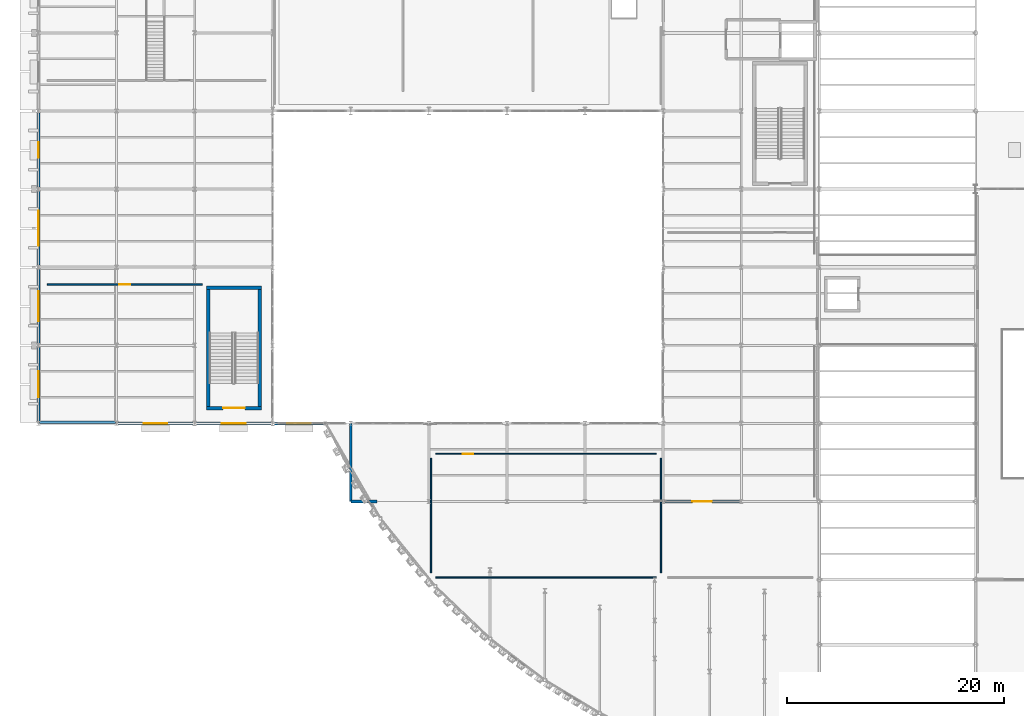
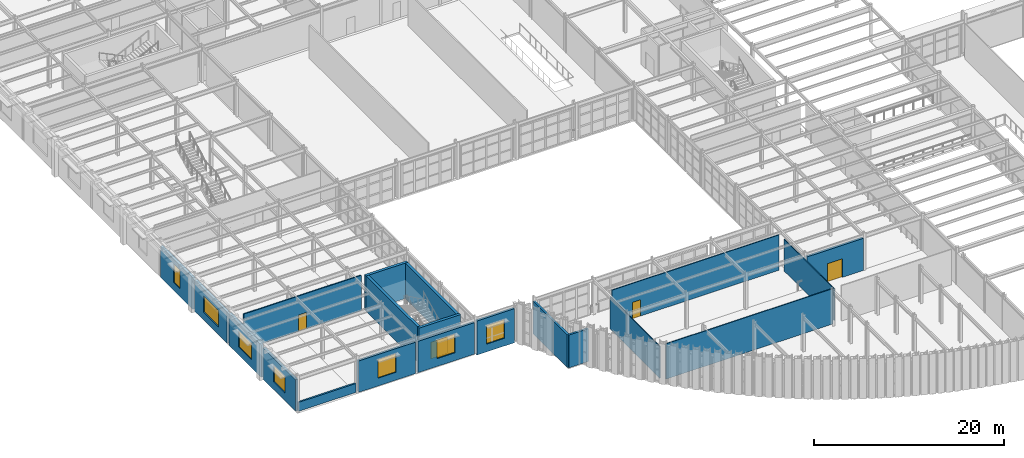
# One storey, part 103 of 126: 20 walls, 7 windows, 4 doors, 11 openings.
"""IFC4 building model written with IfcOpenShell, lengths in metres."""

import ifcopenshell
import ifcopenshell.guid

model = None  # the IFC model being written
_history = None  # IfcOwnerHistory: only IFC2X3 demands one
_inside = {}  # id of a spatial element -> (the spatial element, [elements in it])
_under = {}  # id of a project, library or spatial element -> (it, [spatial elements below it])
_declared = {}  # id of a project -> (the project, [libraries it declares])
_typed = {}  # id of a type object -> (the type object, [elements of that type])
_made_of = {}  # id of a material, layer set ... -> (it, [elements and type objects made of it])


def new_model(schema):
    """Start an empty IFC model of exactly this schema.

    Asked for "IFC4X3", IfcOpenShell would pick the latest addendum, in which some entities
    have other attributes; the version numbers below select the first issue.
    IFC2X3 requires an IfcOwnerHistory on every rooted entity: one is made here for all.
    """
    global model, _history
    if schema == "IFC4X3":
        model = ifcopenshell.file(schema_version=(4, 3, 0, 0))
    else:
        model = ifcopenshell.file(schema=schema)
    _inside.clear()
    _under.clear()
    _declared.clear()
    _typed.clear()
    _made_of.clear()
    _history = None
    if model.schema == "IFC2X3":
        org = make("IfcOrganization", Name="unknown")
        user = make(
            "IfcPersonAndOrganization",
            ThePerson=make("IfcPerson", FamilyName="unknown"),
            TheOrganization=org,
        )
        app = make(
            "IfcApplication",
            ApplicationDeveloper=org,
            Version="unknown",
            ApplicationFullName="unknown",
            ApplicationIdentifier="unknown",
        )
        _history = make(
            "IfcOwnerHistory",
            OwningUser=user,
            OwningApplication=app,
            ChangeAction="ADDED",
            CreationDate=0,
        )
    return model


def make(cls, **values):
    """One entity of the class cls with the attributes given. An attribute that is None is left unset."""
    return model.create_entity(
        cls, **{name: value for name, value in values.items() if value is not None}
    )


def rooted(cls, **values):
    """An entity with a GlobalId (a new one), such as an element, a storey or a relation."""
    return make(cls, GlobalId=ifcopenshell.guid.new(), OwnerHistory=_history, **values)


def si_unit(unit_type, name, prefix=None):
    """IfcSIUnit, for example si_unit("LENGTHUNIT", "METRE", prefix="MILLI")."""
    return make("IfcSIUnit", UnitType=unit_type, Prefix=prefix, Name=name)


def assignment(units):
    """IfcUnitAssignment: the units of a project."""
    return None if units is None else make("IfcUnitAssignment", Units=units)


def point(xyz):
    """IfcCartesianPoint."""
    return None if xyz is None else make("IfcCartesianPoint", Coordinates=xyz)


def direction(xyz):
    """IfcDirection."""
    return None if xyz is None else make("IfcDirection", DirectionRatios=xyz)


def frame(location, z_axis=None, x_axis=None):
    """IfcAxis2Placement3D, a coordinate frame: its origin and axes. An axis left out is left unset."""
    return make(
        "IfcAxis2Placement3D",
        Location=point(location),
        Axis=direction(z_axis),
        RefDirection=direction(x_axis),
    )


def frame_2d(location, x_axis=None):
    """IfcAxis2Placement2D, a coordinate frame in the plane: its origin and x axis."""
    return make(
        "IfcAxis2Placement2D", Location=point(location), RefDirection=direction(x_axis)
    )


def origin():
    """The frame at (0, 0, 0) with its axes left unset."""
    return frame((0.0, 0.0, 0.0))


def place(relative_to, where):
    """IfcLocalPlacement: puts the frame where relative to a parent placement (None: the world)."""
    return make(
        "IfcLocalPlacement", PlacementRelTo=relative_to, RelativePlacement=where
    )


def context(
    kind, dimensions, precision=None, world=None, true_north=None, identifier=None
):
    """IfcGeometricRepresentationContext, for example the 3D "Model" context."""
    return make(
        "IfcGeometricRepresentationContext",
        ContextIdentifier=identifier,
        ContextType=kind,
        CoordinateSpaceDimension=dimensions,
        Precision=precision,
        WorldCoordinateSystem=world,
        TrueNorth=true_north,
    )


def subcontext(parent, identifier, kind, view, scale=None):
    """IfcGeometricRepresentationSubContext, for example "Body" below "Model"."""
    return make(
        "IfcGeometricRepresentationSubContext",
        ContextIdentifier=identifier,
        ContextType=kind,
        ParentContext=parent,
        TargetScale=scale,
        TargetView=view,
    )


def project(units=None, contexts=None):
    """IfcProject with its units and contexts."""
    return rooted(
        "IfcProject",
        Name="project",
        RepresentationContexts=contexts,
        UnitsInContext=assignment(units),
    )


def spatial(cls, under=None, at=None, **own):
    """A site, building, storey or space (cls), placed at a placement, below another one or the project."""
    s = rooted(cls, ObjectPlacement=at, **own)
    if under is not None:
        _under.setdefault(under.id(), (under, []))[1].append(s)
    return s


def profile(cls, at=None, kind="AREA", **sizes):
    """A parametric profile (cls). Its sizes go by their IFC names, for example OverallWidth=200.0."""
    return make(cls, ProfileType=kind, Position=at, **sizes)


def rectangle(**sizes):
    """IfcRectangleProfileDef."""
    return profile("IfcRectangleProfileDef", **sizes)


def extrude(swept, where, along, depth):
    """IfcExtrudedAreaSolid: the profile swept, set in the frame where, extruded along a direction by depth."""
    return make(
        "IfcExtrudedAreaSolid",
        SweptArea=swept,
        Position=where,
        ExtrudedDirection=direction(along),
        Depth=depth,
    )


def shape(context_of_items, identifier, shape_type, items):
    """IfcShapeRepresentation: the items that make up one representation, for example the "Body"."""
    return make(
        "IfcShapeRepresentation",
        ContextOfItems=context_of_items,
        RepresentationIdentifier=identifier,
        RepresentationType=shape_type,
        Items=items,
    )


def material(Name=None, Category=None):
    """IfcMaterial."""
    return make("IfcMaterial", Name=Name, Category=Category)


def layer(
    of_material, thickness, ventilated=None, Name=None, Category=None, Priority=None
):
    """IfcMaterialLayer: one layer of a wall or slab, of a material (None: an air gap)."""
    return make(
        "IfcMaterialLayer",
        Material=of_material,
        LayerThickness=thickness,
        IsVentilated=ventilated,
        Name=Name,
        Category=Category,
        Priority=Priority,
    )


def layer_set(layers, Name=None):
    """IfcMaterialLayerSet."""
    return make("IfcMaterialLayerSet", MaterialLayers=layers, LayerSetName=Name)


def made_of(thing, what):
    """Note that an element or type object is made of a material, layer set ...; save() writes the relation."""
    if what is not None:
        _made_of.setdefault(what.id(), (what, []))[1].append(thing)
    return thing


def type_object(cls, material=None, **own):
    """A type object (cls), such as IfcWallType, which elements share."""
    return made_of(rooted(cls, **own), material)


def element(
    cls,
    number,
    at=None,
    inside=None,
    cuts=None,
    type_object=None,
    material=None,
    context=None,
    identifier="Body",
    shape_type=None,
    held_by="IfcProductDefinitionShape",
    body=None,
    shapes=None,
    **own,
):
    """One element of the class cls, such as IfcWall. Its Tag is "e" and its number.

    at: its placement. inside: the storey or other place that contains it. cuts: it is an
    opening in that element (IfcRelVoidsElement). A single representation is given by context,
    identifier, shape_type and body (its items); several are given by shapes. held_by: the class
    of the entity that holds the representations. save() writes the other relations.
    """
    e = rooted(cls, Tag="e%d" % number, ObjectPlacement=at, **own)
    if body is not None:
        shapes = [shape(context, identifier, shape_type, body)]
    if shapes is not None:
        e.Representation = make(held_by, Representations=shapes)
    if inside is not None:
        _inside.setdefault(inside.id(), (inside, []))[1].append(e)
    if cuts is not None:
        rooted(
            "IfcRelVoidsElement", RelatingBuildingElement=cuts, RelatedOpeningElement=e
        )
    if type_object is not None:
        _typed.setdefault(type_object.id(), (type_object, []))[1].append(e)
    return made_of(e, material)


def fill(opening, filler):
    """IfcRelFillsElement: the door or window that sits in an opening."""
    return rooted(
        "IfcRelFillsElement",
        RelatingOpeningElement=opening,
        RelatedBuildingElement=filler,
    )


def aggregate(whole, parts):
    """IfcRelAggregates: a whole, such as a stair, and the parts it consists of."""
    return rooted("IfcRelAggregates", RelatingObject=whole, RelatedObjects=parts)


def save(model, path):
    """Write the relations noted so far, then the file.

    IfcRelAggregates (storeys below a building ...), IfcRelContainedInSpatialStructure (elements
    in a storey), IfcRelDefinesByType, IfcRelAssociatesMaterial and IfcRelDeclares: one each for
    every whole, place, type object, material and project.
    """
    for whole, parts in _under.values():
        aggregate(whole, parts)
    for where, things in _inside.values():
        rooted(
            "IfcRelContainedInSpatialStructure",
            RelatedElements=things,
            RelatingStructure=where,
        )
    for kind, things in _typed.values():
        rooted("IfcRelDefinesByType", RelatedObjects=things, RelatingType=kind)
    for what, things in _made_of.values():
        rooted("IfcRelAssociatesMaterial", RelatedObjects=things, RelatingMaterial=what)
    for by, libraries in _declared.values():
        rooted("IfcRelDeclares", RelatingContext=by, RelatedDefinitions=libraries)
    model.write(path)


model = new_model("IFC4")

# Units and contexts
model_context = context("Model", 3, precision=1e-05, world=origin(), true_north=direction((0.0, 1.0)))
body_context = subcontext(model_context, "Body", "Model", "MODEL_VIEW")
ifc_project = project(units=[si_unit("LENGTHUNIT", "METRE"), si_unit("AREAUNIT", "SQUARE_METRE"), si_unit("VOLUMEUNIT", "CUBIC_METRE"), si_unit("PLANEANGLEUNIT", "RADIAN"), si_unit("MASSUNIT", "GRAM", prefix="KILO")], contexts=[model_context])

# Site, building, storey
site_placement = place(None, origin())
site = spatial("IfcSite", under=ifc_project, at=site_placement, CompositionType="ELEMENT")
building_placement = place(site_placement, origin())
building = spatial("IfcBuilding", under=site, at=building_placement, Name="Solvadek Multi-Sports Hall", CompositionType="ELEMENT")
storey_placement = place(building_placement, frame((0.0, 0.0, 9.60009765625)))
storey = spatial("IfcBuildingStorey", under=building, at=storey_placement, Name="L02", CompositionType="ELEMENT", Elevation=9.60009765625)

# Walls
ifc_material_1 = material(Name="Dressed honey-cream limestone ashlar", Category="masonry")
ifc_layer_1 = layer(ifc_material_1, 0.25, Name="Dressed honey-cream limestone ashlar")
ifc_layer_set_1 = layer_set([ifc_layer_1], Name="Dressed honey-cream limestone ashlar")
wall_type_1 = type_object("IfcWallType", Name="ENV-WAL-EXT250", PredefinedType="SOLIDWALL", material=ifc_layer_set_1)
wall_1_placement = place(storey_placement, frame((28.800048828125, 13.199951171875, 0.0), z_axis=(0.0, 0.0, 1.0), x_axis=(0.0, 1.0, 0.0)))
element("IfcWall", 1, at=wall_1_placement, inside=storey, type_object=wall_type_1, Name="L02 Crescent Step Closure Wall #198", PredefinedType="SOLIDWALL", context=body_context, shape_type="SweptSolid", body=[
    extrude(rectangle(XDim=7.199951171875, YDim=0.25, at=frame_2d((3.60009765625, 0.0))), origin(), (0.0, 0.0, 1.0), 4.21484375),
])
wall_2_placement = place(storey_placement, frame((28.800048828125, 13.199951171875, 0.0), z_axis=(0.0, 0.0, 1.0), x_axis=(1.0, 0.0, 0.0)))
element("IfcWall", 2, at=wall_2_placement, inside=storey, type_object=wall_type_1, Name="L02 Crescent Corner Closure Wall #199", PredefinedType="SOLIDWALL", context=body_context, shape_type="SweptSolid", body=[
    extrude(rectangle(XDim=2.39990234375, YDim=0.25, at=frame_2d((1.199951171875, 0.0))), origin(), (0.0, 0.0, 1.0), 4.21484375),
])

# Wall, opening, window
ifc_layer_2 = layer(ifc_material_1, 0.300048828125, Name="Dressed honey-cream limestone ashlar")
ifc_layer_set_2 = layer_set([ifc_layer_2], Name="Dressed honey-cream limestone ashlar")
wall_type_2 = type_object("IfcWallType", Name="ENV-WAL-EXT300", PredefinedType="SOLIDWALL", material=ifc_layer_set_2)
wall_3_placement = place(storey_placement, frame((0.0, 20.583984375, 0.0), z_axis=(0.0, 0.0, 1.0), x_axis=(0.0, 1.0, 0.0)))
wall_3 = element("IfcWall", 3, at=wall_3_placement, inside=storey, type_object=wall_type_2, Name="L02 Exterior Masonry Wall #131", PredefinedType="SOLIDWALL", context=body_context, shape_type="SweptSolid", body=[
    extrude(rectangle(XDim=6.83203125, YDim=0.300048828125, at=frame_2d((3.416015625, 0.0))), origin(), (0.0, 0.0, 1.0), 4.044921875),
])
opening_1_placement = place(wall_3_placement, frame((2.216064453125, 0.0, 1.0)))
opening_1 = element("IfcOpeningElement", 4, at=opening_1_placement, cuts=wall_3, Name="Opening WN-13", PredefinedType="OPENING", context=body_context, shape_type="SweptSolid", body=[
    extrude(rectangle(XDim=2.39990234375, YDim=2.10009765625, at=frame_2d((1.199951171875, 1.050048828125))), frame((0.0, 0.159912109375, 0.0), z_axis=(0.0, -1.0, 0.0), x_axis=(1.0, 0.0, 0.0)), (0.0, 0.0, 1.0), 0.320068359375),
])
ifc_material_2 = material(Name="Tempered laminated low-E glass", Category="glass")
window_type_1 = type_object("IfcWindowType", Name="ENV-WIN-WN-13", PartitioningType="SINGLE_PANEL", PredefinedType="WINDOW", material=ifc_material_2)
window_1_placement = place(opening_1_placement, origin())
window_1 = element("IfcWindow", 5, at=window_1_placement, inside=storey, type_object=window_type_1, Name="L02 Facade Window WN-13 #22", OverallHeight=2.10009765625, OverallWidth=2.39990234375, PartitioningType="SINGLE_PANEL", PredefinedType="WINDOW", context=body_context, shape_type="SweptSolid", body=[
    extrude(rectangle(XDim=2.39990234375, YDim=2.10009765625, at=frame_2d((1.199951171875, 1.050048828125))), frame((0.0, 0.030029296875, 0.0), z_axis=(0.0, -1.0, 0.0), x_axis=(1.0, 0.0, 0.0)), (0.0, 0.0, 1.0), 0.06005859375),
])
fill(opening_1, window_1)

wall_4_placement = place(storey_placement, frame((0.0, 27.783935546875, 0.0), z_axis=(0.0, 0.0, 1.0), x_axis=(0.0, 1.0, 0.0)))
wall_4 = element("IfcWall", 6, at=wall_4_placement, inside=storey, type_object=wall_type_2, Name="L02 Exterior Masonry Wall #134", PredefinedType="SOLIDWALL", context=body_context, shape_type="SweptSolid", body=[
    extrude(rectangle(XDim=6.83203125, YDim=0.300048828125, at=frame_2d((3.416015625, 0.0))), origin(), (0.0, 0.0, 1.0), 4.14501953125),
])
opening_2_placement = place(wall_4_placement, frame((2.01611328125, 0.0, 1.0)))
opening_2 = element("IfcOpeningElement", 7, at=opening_2_placement, cuts=wall_4, Name="Opening WN-14", PredefinedType="OPENING", context=body_context, shape_type="SweptSolid", body=[
    extrude(rectangle(XDim=2.800048828125, YDim=2.10009765625, at=frame_2d((1.39990234375, 1.050048828125))), frame((0.0, 0.159912109375, 0.0), z_axis=(0.0, -1.0, 0.0), x_axis=(1.0, 0.0, 0.0)), (0.0, 0.0, 1.0), 0.320068359375),
])
window_type_2 = type_object("IfcWindowType", Name="ENV-WIN-WN-14", PartitioningType="SINGLE_PANEL", PredefinedType="WINDOW", material=ifc_material_2)
window_2_placement = place(opening_2_placement, origin())
window_2 = element("IfcWindow", 8, at=window_2_placement, inside=storey, type_object=window_type_2, Name="L02 Facade Window WN-14 #24", OverallHeight=2.10009765625, OverallWidth=2.800048828125, PartitioningType="SINGLE_PANEL", PredefinedType="WINDOW", context=body_context, shape_type="SweptSolid", body=[
    extrude(rectangle(XDim=2.800048828125, YDim=2.10009765625, at=frame_2d((1.39990234375, 1.050048828125))), frame((0.0, 0.030029296875, 0.0), z_axis=(0.0, -1.0, 0.0), x_axis=(1.0, 0.0, 0.0)), (0.0, 0.0, 1.0), 0.06005859375),
])
fill(opening_2, window_2)

wall_5_placement = place(storey_placement, frame((0.0, 34.98388671875, 0.0), z_axis=(0.0, 0.0, 1.0), x_axis=(0.0, 1.0, 0.0)))
wall_5 = element("IfcWall", 9, at=wall_5_placement, inside=storey, type_object=wall_type_2, Name="L02 Exterior Masonry Wall #137", PredefinedType="SOLIDWALL", context=body_context, shape_type="SweptSolid", body=[
    extrude(rectangle(XDim=6.83203125, YDim=0.300048828125, at=frame_2d((3.416015625, 0.0))), origin(), (0.0, 0.0, 1.0), 4.044921875),
])
opening_3_placement = place(wall_5_placement, frame((1.81591796875, 0.0, 1.0)))
opening_3 = element("IfcOpeningElement", 10, at=opening_3_placement, cuts=wall_5, Name="Opening WN-15", PredefinedType="OPENING", context=body_context, shape_type="SweptSolid", body=[
    extrude(rectangle(XDim=3.199951171875, YDim=2.10009765625, at=frame_2d((1.60009765625, 1.050048828125))), frame((0.0, 0.159912109375, 0.0), z_axis=(0.0, -1.0, 0.0), x_axis=(1.0, 0.0, 0.0)), (0.0, 0.0, 1.0), 0.320068359375),
])
window_type_3 = type_object("IfcWindowType", Name="ENV-WIN-WN-15", PartitioningType="SINGLE_PANEL", PredefinedType="WINDOW", material=ifc_material_2)
window_3_placement = place(opening_3_placement, origin())
window_3 = element("IfcWindow", 11, at=window_3_placement, inside=storey, type_object=window_type_3, Name="L02 Facade Window WN-15 #27", OverallHeight=2.10009765625, OverallWidth=3.199951171875, PartitioningType="SINGLE_PANEL", PredefinedType="WINDOW", context=body_context, shape_type="SweptSolid", body=[
    extrude(rectangle(XDim=3.199951171875, YDim=2.10009765625, at=frame_2d((1.60009765625, 1.050048828125))), frame((0.0, 0.030029296875, 0.0), z_axis=(0.0, -1.0, 0.0), x_axis=(1.0, 0.0, 0.0)), (0.0, 0.0, 1.0), 0.06005859375),
])
fill(opening_3, window_3)

wall_6_placement = place(storey_placement, frame((0.0, 42.18408203125, 0.0), z_axis=(0.0, 0.0, 1.0), x_axis=(0.0, 1.0, 0.0)))
wall_6 = element("IfcWall", 12, at=wall_6_placement, inside=storey, type_object=wall_type_2, Name="L02 Exterior Masonry Wall #140", PredefinedType="SOLIDWALL", context=body_context, shape_type="SweptSolid", body=[
    extrude(rectangle(XDim=6.83203125, YDim=0.300048828125, at=frame_2d((3.416015625, 0.0))), origin(), (0.0, 0.0, 1.0), 4.044921875),
])
opening_4_placement = place(wall_6_placement, frame((2.716064453125, 0.0, 1.0)))
opening_4 = element("IfcOpeningElement", 13, at=opening_4_placement, cuts=wall_6, Name="Opening WN-16", PredefinedType="OPENING", context=body_context, shape_type="SweptSolid", body=[
    extrude(rectangle(XDim=1.39990234375, YDim=2.39990234375, at=frame_2d((0.699951171875, 1.199951171875))), frame((0.0, 0.159912109375, 0.0), z_axis=(0.0, -1.0, 0.0), x_axis=(1.0, 0.0, 0.0)), (0.0, 0.0, 1.0), 0.320068359375),
])
window_type_4 = type_object("IfcWindowType", Name="ENV-WIN-WN-16", PartitioningType="SINGLE_PANEL", PredefinedType="WINDOW", material=ifc_material_2)
window_4_placement = place(opening_4_placement, origin())
window_4 = element("IfcWindow", 14, at=window_4_placement, inside=storey, type_object=window_type_4, Name="L02 Facade Window WN-16 #30", OverallHeight=2.39990234375, OverallWidth=1.39990234375, PartitioningType="SINGLE_PANEL", PredefinedType="WINDOW", context=body_context, shape_type="SweptSolid", body=[
    extrude(rectangle(XDim=1.39990234375, YDim=2.39990234375, at=frame_2d((0.699951171875, 1.199951171875))), frame((0.0, 0.030029296875, 0.0), z_axis=(0.0, -1.0, 0.0), x_axis=(1.0, 0.0, 0.0)), (0.0, 0.0, 1.0), 0.06005859375),
])
fill(opening_4, window_4)

wall_7_placement = place(storey_placement, frame((7.35400390625, 20.39990234375, 0.0), z_axis=(0.0, 0.0, 1.0), x_axis=(1.0, 0.0, 0.0)))
wall_7 = element("IfcWall", 15, at=wall_7_placement, inside=storey, type_object=wall_type_2, Name="L02 Exterior Masonry Wall #204", PredefinedType="SOLIDWALL", context=body_context, shape_type="SweptSolid", body=[
    extrude(rectangle(XDim=6.89208984375, YDim=0.300048828125, at=frame_2d((3.446044921875, 0.0))), origin(), (0.0, 0.0, 1.0), 4.044921875),
])
opening_5_placement = place(wall_7_placement, frame((2.345947265625, 0.0, 1.0)))
opening_5 = element("IfcOpeningElement", 16, at=opening_5_placement, cuts=wall_7, Name="Opening WN-18", PredefinedType="OPENING", context=body_context, shape_type="SweptSolid", body=[
    extrude(rectangle(XDim=2.199951171875, YDim=2.39990234375, at=frame_2d((1.10009765625, 1.199951171875))), frame((0.0, 0.159912109375, 0.0), z_axis=(0.0, -1.0, 0.0), x_axis=(1.0, 0.0, 0.0)), (0.0, 0.0, 1.0), 0.320068359375),
])
window_type_5 = type_object("IfcWindowType", Name="ENV-WIN-WN-18", PartitioningType="SINGLE_PANEL", PredefinedType="WINDOW", material=ifc_material_2)
window_5_placement = place(opening_5_placement, origin())
window_5 = element("IfcWindow", 17, at=window_5_placement, inside=storey, type_object=window_type_5, Name="L02 Facade Window WN-18 #82", OverallHeight=2.39990234375, OverallWidth=2.199951171875, PartitioningType="SINGLE_PANEL", PredefinedType="WINDOW", context=body_context, shape_type="SweptSolid", body=[
    extrude(rectangle(XDim=2.199951171875, YDim=2.39990234375, at=frame_2d((1.10009765625, 1.199951171875))), frame((0.0, 0.030029296875, 0.0), z_axis=(0.0, -1.0, 0.0), x_axis=(1.0, 0.0, 0.0)), (0.0, 0.0, 1.0), 0.06005859375),
])
fill(opening_5, window_5)

wall_8_placement = place(storey_placement, frame((14.553955078125, 20.39990234375, 0.0), z_axis=(0.0, 0.0, 1.0), x_axis=(1.0, 0.0, 0.0)))
wall_8 = element("IfcWall", 18, at=wall_8_placement, inside=storey, type_object=wall_type_2, Name="L02 Exterior Masonry Wall #207", PredefinedType="SOLIDWALL", context=body_context, shape_type="SweptSolid", body=[
    extrude(rectangle(XDim=6.89208984375, YDim=0.300048828125, at=frame_2d((3.446044921875, 0.0))), origin(), (0.0, 0.0, 1.0), 4.044921875),
])
opening_6_placement = place(wall_8_placement, frame((2.345947265625, 0.0, 1.0)))
opening_6 = element("IfcOpeningElement", 19, at=opening_6_placement, cuts=wall_8, Name="Opening WN-18", PredefinedType="OPENING", context=body_context, shape_type="SweptSolid", body=[
    extrude(rectangle(XDim=2.199951171875, YDim=2.39990234375, at=frame_2d((1.10009765625, 1.199951171875))), frame((0.0, 0.159912109375, 0.0), z_axis=(0.0, -1.0, 0.0), x_axis=(1.0, 0.0, 0.0)), (0.0, 0.0, 1.0), 0.320068359375),
])
window_6_placement = place(opening_6_placement, origin())
window_6 = element("IfcWindow", 20, at=window_6_placement, inside=storey, type_object=window_type_5, Name="L02 Facade Window WN-18 #84", OverallHeight=2.39990234375, OverallWidth=2.199951171875, PartitioningType="SINGLE_PANEL", PredefinedType="WINDOW", context=body_context, shape_type="SweptSolid", body=[
    extrude(rectangle(XDim=2.199951171875, YDim=2.39990234375, at=frame_2d((1.10009765625, 1.199951171875))), frame((0.0, 0.030029296875, 0.0), z_axis=(0.0, -1.0, 0.0), x_axis=(1.0, 0.0, 0.0)), (0.0, 0.0, 1.0), 0.06005859375),
])
fill(opening_6, window_6)

wall_9_placement = place(storey_placement, frame((21.75390625, 20.39990234375, -0.239990234375), z_axis=(0.0, 0.0, 1.0), x_axis=(1.0, 0.0, 0.0)))
wall_9 = element("IfcWall", 21, at=wall_9_placement, inside=storey, type_object=wall_type_2, Name="L02 Exterior Masonry Wall #210", PredefinedType="SOLIDWALL", context=body_context, shape_type="SweptSolid", body=[
    extrude(rectangle(XDim=4.546630859375, YDim=0.300048828125, at=frame_2d((2.2734375, 0.0))), origin(), (0.0, 0.0, 1.0), 4.385009765625),
])
opening_7_placement = place(wall_9_placement, frame((1.17333984375, 0.0, 1.0)))
opening_7 = element("IfcOpeningElement", 22, at=opening_7_placement, cuts=wall_9, Name="Opening WN-18", PredefinedType="OPENING", context=body_context, shape_type="SweptSolid", body=[
    extrude(rectangle(XDim=2.199951171875, YDim=2.39990234375, at=frame_2d((1.10009765625, 1.199951171875))), frame((0.0, 0.159912109375, 0.0), z_axis=(0.0, -1.0, 0.0), x_axis=(1.0, 0.0, 0.0)), (0.0, 0.0, 1.0), 0.320068359375),
])
window_7_placement = place(opening_7_placement, origin())
window_7 = element("IfcWindow", 23, at=window_7_placement, inside=storey, type_object=window_type_5, Name="L02 Facade Window WN-18 #87", OverallHeight=2.39990234375, OverallWidth=2.199951171875, PartitioningType="SINGLE_PANEL", PredefinedType="WINDOW", context=body_context, shape_type="SweptSolid", body=[
    extrude(rectangle(XDim=2.199951171875, YDim=2.39990234375, at=frame_2d((1.10009765625, 1.199951171875))), frame((0.0, 0.030029296875, 0.0), z_axis=(0.0, -1.0, 0.0), x_axis=(1.0, 0.0, 0.0)), (0.0, 0.0, 1.0), 0.06005859375),
])
fill(opening_7, window_7)

# Wall, opening, door
wall_10_placement = place(storey_placement, frame((57.75390625, 13.199951171875, 0.0), z_axis=(0.0, 0.0, 1.0), x_axis=(1.0, 0.0, 0.0)))
wall_10 = element("IfcWall", 24, at=wall_10_placement, inside=storey, type_object=wall_type_2, Name="L02 Exterior Masonry Wall #290", PredefinedType="SOLIDWALL", context=body_context, shape_type="SweptSolid", body=[
    extrude(rectangle(XDim=6.89208984375, YDim=0.300048828125, at=frame_2d((3.446044921875, 0.0))), origin(), (0.0, 0.0, 1.0), 4.14501953125),
])
opening_8_placement = place(wall_10_placement, frame((2.5458984375, 0.0, 0.0)))
opening_8 = element("IfcOpeningElement", 25, at=opening_8_placement, cuts=wall_10, Name="Opening D-LG03", PredefinedType="OPENING", context=body_context, shape_type="SweptSolid", body=[
    extrude(rectangle(XDim=1.800048828125, YDim=2.39990234375, at=frame_2d((0.89990234375, 1.199951171875))), frame((0.0, 0.159912109375, 0.0), z_axis=(0.0, -1.0, 0.0), x_axis=(1.0, 0.0, 0.0)), (0.0, 0.0, 1.0), 0.320068359375),
])
ifc_material_3 = material(Name="Anodised aluminium", Category="aluminium")
door_type_1 = type_object("IfcDoorType", Name="ENV-DOR-CTY180X240", OperationType="DOUBLE_DOOR_SINGLE_SWING", PredefinedType="DOOR", material=ifc_material_3)
door_1_placement = place(opening_8_placement, frame((1.800048828125, 0.0, 0.0), z_axis=(0.0, 0.0, 1.0), x_axis=(-1.0, 0.0, 0.0)))
door_1 = element("IfcDoor", 26, at=door_1_placement, inside=storey, type_object=door_type_1, Name="Second Floor West Crescent Loggia Door", OperationType="DOUBLE_DOOR_SINGLE_SWING", OverallHeight=2.39990234375, OverallWidth=1.800048828125, PredefinedType="DOOR", context=body_context, shape_type="SweptSolid", body=[
    extrude(rectangle(XDim=1.800048828125, YDim=2.39990234375, at=frame_2d((0.89990234375, 1.199951171875))), frame((0.0, 0.02490234375, 0.0), z_axis=(0.0, -1.0, 0.0), x_axis=(1.0, 0.0, 0.0)), (0.0, 0.0, 1.0), 0.050048828125),
])
fill(opening_8, door_1)

# Walls
ifc_layer_3 = layer(ifc_material_1, 0.199951171875, Name="Dressed honey-cream limestone ashlar")
ifc_layer_set_3 = layer_set([ifc_layer_3], Name="Dressed honey-cream limestone ashlar")
wall_type_3 = type_object("IfcWallType", Name="ENV-WAL-PAR200", PredefinedType="PARAPET", material=ifc_layer_set_3)
wall_11_placement = place(storey_placement, frame((0.10009765625, 20.5, 0.0), z_axis=(0.0, 0.0, 1.0), x_axis=(1.0, 0.0, 0.0)))
element("IfcWall", 27, at=wall_11_placement, inside=storey, type_object=wall_type_3, Name="L02 Roof Parapet Wall #310", PredefinedType="PARAPET", context=body_context, shape_type="SweptSolid", body=[
    extrude(rectangle(XDim=7.0, YDim=0.199951171875, at=frame_2d((3.5, 0.0))), origin(), (0.0, 0.0, 1.0), 1.14990234375),
])
ifc_material_4 = material(Name="Autoclaved aerated concrete blockwork", Category="masonry")
ifc_layer_4 = layer(ifc_material_4, 0.10498046875, Name="Autoclaved aerated concrete blockwork")
ifc_layer_set_4 = layer_set([ifc_layer_4], Name="Autoclaved aerated concrete blockwork")
wall_type_4 = type_object("IfcWallType", Name="INT-WAL-PRT105", PredefinedType="PARTITIONING", material=ifc_layer_set_4)
wall_12_placement = place(storey_placement, frame((36.6201171875, 6.199951171875, 0.0), z_axis=(0.0, 0.0, 1.0), x_axis=(1.0, 0.0, 0.0)))
element("IfcWall", 28, at=wall_12_placement, inside=storey, type_object=wall_type_4, Name="L02 Partition Wall L02-05 S", PredefinedType="PARTITIONING", context=body_context, shape_type="SweptSolid", body=[
    extrude(rectangle(XDim=20.35986328125, YDim=0.10498046875, at=frame_2d((10.179931640625, 0.0))), origin(), (0.0, 0.0, 1.0), 4.544921875),
])

# Wall, opening, door
wall_13_placement = place(storey_placement, frame((36.6201171875, 17.594970703125, 0.0), z_axis=(0.0, 0.0, 1.0), x_axis=(1.0, 0.0, 0.0)))
wall_13 = element("IfcWall", 29, at=wall_13_placement, inside=storey, type_object=wall_type_4, Name="L02 Partition Wall L02-05 N", PredefinedType="PARTITIONING", context=body_context, shape_type="SweptSolid", body=[
    extrude(rectangle(XDim=20.35986328125, YDim=0.10498046875, at=frame_2d((10.179931640625, 0.0))), origin(), (0.0, 0.0, 1.0), 4.544921875),
])
opening_9_placement = place(wall_13_placement, frame((2.47998046875, 0.0, 0.0)))
opening_9 = element("IfcOpeningElement", 30, at=opening_9_placement, cuts=wall_13, Name="Opening D-01", PredefinedType="OPENING", context=body_context, shape_type="SweptSolid", body=[
    extrude(rectangle(XDim=1.0, YDim=2.10009765625, at=frame_2d((0.5, 1.050048828125))), frame((0.0, 0.0625, 0.0), z_axis=(0.0, -1.0, 0.0), x_axis=(1.0, 0.0, 0.0)), (0.0, 0.0, 1.0), 0.125),
])
ifc_material_5 = material(Name="Teak hardwood timber", Category="wood")
door_type_2 = type_object("IfcDoorType", Name="INT-DOR-RM100X210", OperationType="NOTDEFINED", PredefinedType="DOOR", material=ifc_material_5)
door_2_placement = place(opening_9_placement, frame((1.0, 0.0, 0.0), z_axis=(0.0, 0.0, 1.0), x_axis=(-1.0, 0.0, 0.0)))
door_2 = element("IfcDoor", 31, at=door_2_placement, inside=storey, type_object=door_type_2, Name="L02 L02-05 Door #10", OperationType="SINGLE_SWING_LEFT", OverallHeight=2.10009765625, OverallWidth=1.0, PredefinedType="DOOR", context=body_context, shape_type="SweptSolid", body=[
    extrude(rectangle(XDim=1.0, YDim=2.10009765625, at=frame_2d((0.5, 1.050048828125))), frame((0.0, 0.02490234375, 0.0), z_axis=(0.0, -1.0, 0.0), x_axis=(1.0, 0.0, 0.0)), (0.0, 0.0, 1.0), 0.050048828125),
])
fill(opening_9, door_2)

# Walls
for number, where, z_axis, x_axis, name in (
    (32, (36.199951171875, 6.6201171875, 0.0), (0.0, 0.0, 1.0), (0.0, 1.0, 0.0), "L02 Partition Wall L02-05 W"),
    (33, (57.39990234375, 6.6201171875, 0.0), (0.0, 0.0, 1.0), (0.0, 1.0, 0.0), "L02 Partition Wall L02-05 E"),
):
    element("IfcWall", number, at=place(storey_placement, frame(where, z_axis=z_axis, x_axis=x_axis)), inside=storey, type_object=wall_type_4, Name=name, PredefinedType="PARTITIONING", context=body_context, shape_type="SweptSolid", body=[
        extrude(rectangle(XDim=10.554931640625, YDim=0.10498046875, at=frame_2d((5.27734375, 0.0))), origin(), (0.0, 0.0, 1.0), 4.08984375),
    ])

# Wall, opening, door
ifc_layer_5 = layer(ifc_material_4, 0.135009765625, Name="Autoclaved aerated concrete blockwork")
ifc_layer_set_5 = layer_set([ifc_layer_5], Name="Autoclaved aerated concrete blockwork")
wall_type_5 = type_object("IfcWallType", Name="INT-WAL-PRT135", PredefinedType="PARTITIONING", material=ifc_layer_set_5)
wall_14_placement = place(storey_placement, frame((0.820068359375, 33.199951171875, 0.0), z_axis=(0.0, 0.0, 1.0), x_axis=(1.0, 0.0, 0.0)))
wall_14 = element("IfcWall", 34, at=wall_14_placement, inside=storey, type_object=wall_type_5, Name="L02 Partition Wall L02-03 S", PredefinedType="PARTITIONING", context=body_context, shape_type="SweptSolid", body=[
    extrude(rectangle(XDim=14.29541015625, YDim=0.135009765625, at=frame_2d((7.147705078125, 0.0))), origin(), (0.0, 0.0, 1.0), 4.544921875),
])
opening_10_placement = place(wall_14_placement, frame((6.647705078125, 0.0, 0.0)))
opening_10 = element("IfcOpeningElement", 35, at=opening_10_placement, cuts=wall_14, Name="Opening D-01", PredefinedType="OPENING", context=body_context, shape_type="SweptSolid", body=[
    extrude(rectangle(XDim=1.0, YDim=2.10009765625, at=frame_2d((0.5, 1.050048828125))), frame((0.0, 0.077392578125, 0.0), z_axis=(0.0, -1.0, 0.0), x_axis=(1.0, 0.0, 0.0)), (0.0, 0.0, 1.0), 0.155029296875),
])
door_3_placement = place(opening_10_placement, origin())
door_3 = element("IfcDoor", 36, at=door_3_placement, inside=storey, type_object=door_type_2, Name="L02 L02-03 Door #50", OperationType="SINGLE_SWING_LEFT", OverallHeight=2.10009765625, OverallWidth=1.0, PredefinedType="DOOR", context=body_context, shape_type="SweptSolid", body=[
    extrude(rectangle(XDim=1.0, YDim=2.10009765625, at=frame_2d((0.5, 1.050048828125))), frame((0.0, 0.02490234375, 0.0), z_axis=(0.0, -1.0, 0.0), x_axis=(1.0, 0.0, 0.0)), (0.0, 0.0, 1.0), 0.050048828125),
])
fill(opening_10, door_3)

ifc_material_6 = material(Name="Concrete M40", Category="concrete")
ifc_layer_6 = layer(ifc_material_6, 0.320068359375, Name="Concrete M40")
ifc_layer_set_6 = layer_set([ifc_layer_6], Name="Concrete M40")
wall_type_6 = type_object("IfcWallType", Name="INT-WAL-SHR320", PredefinedType="SHEAR", material=ifc_layer_set_6)
wall_15_placement = place(storey_placement, frame((15.489990234375, 21.800048828125, 0.0), z_axis=(0.0, 0.0, 1.0), x_axis=(1.0, 0.0, 0.0)))
wall_15 = element("IfcWall", 37, at=wall_15_placement, inside=storey, type_object=wall_type_6, Name="L02 Stair ST-01 Shear Wall S", PredefinedType="SHEAR", context=body_context, shape_type="SweptSolid", body=[
    extrude(rectangle(XDim=5.070068359375, YDim=0.320068359375, at=frame_2d((2.53515625, 0.0))), origin(), (0.0, 0.0, 1.0), 4.559814453125),
])
opening_11_placement = place(wall_15_placement, frame((1.534912109375, 0.0, 0.0)))
opening_11 = element("IfcOpeningElement", 38, at=opening_11_placement, cuts=wall_15, Name="Opening FD120", PredefinedType="OPENING", context=body_context, shape_type="SweptSolid", body=[
    extrude(rectangle(XDim=2.0, YDim=2.14990234375, at=frame_2d((1.0, 1.074951171875))), frame((0.0, 0.169921875, 0.0), z_axis=(0.0, -1.0, 0.0), x_axis=(1.0, 0.0, 0.0)), (0.0, 0.0, 1.0), 0.340087890625),
])
ifc_material_7 = material(Name="Steel E250 (250 MPa)", Category="steel")
door_type_3 = type_object("IfcDoorType", Name="INT-DOR-FD200X215", OperationType="DOUBLE_DOOR_SINGLE_SWING", PredefinedType="DOOR", material=ifc_material_7)
door_4_placement = place(opening_11_placement, origin())
door_4 = element("IfcDoor", 39, at=door_4_placement, inside=storey, type_object=door_type_3, Name="L02 Stair ST-01 Fire Door", OperationType="DOUBLE_DOOR_SINGLE_SWING", OverallHeight=2.14990234375, OverallWidth=2.0, PredefinedType="DOOR", context=body_context, shape_type="SweptSolid", body=[
    extrude(rectangle(XDim=2.0, YDim=2.14990234375, at=frame_2d((1.0, 1.074951171875))), frame((0.0, 0.02490234375, 0.0), z_axis=(0.0, -1.0, 0.0), x_axis=(1.0, 0.0, 0.0)), (0.0, 0.0, 1.0), 0.050048828125),
])
fill(opening_11, door_4)

# Walls
wall_16_placement = place(storey_placement, frame((15.489990234375, 32.89990234375, 0.0), z_axis=(0.0, 0.0, 1.0), x_axis=(1.0, 0.0, 0.0)))
element("IfcWall", 40, at=wall_16_placement, inside=storey, type_object=wall_type_6, Name="L02 Stair ST-01 Shear Wall N", PredefinedType="SHEAR", context=body_context, shape_type="SweptSolid", body=[
    extrude(rectangle(XDim=5.070068359375, YDim=0.320068359375, at=frame_2d((2.53515625, 0.0))), origin(), (0.0, 0.0, 1.0), 4.559814453125),
])
for number, where, z_axis, x_axis, name in (
    (41, (15.64990234375, 21.9599609375, 0.0), (0.0, 0.0, 1.0), (0.0, 1.0, 0.0), "L02 Stair ST-01 Shear Wall W"),
    (42, (20.39990234375, 21.9599609375, 0.0), (0.0, 0.0, 1.0), (0.0, 1.0, 0.0), "L02 Stair ST-01 Shear Wall E"),
):
    element("IfcWall", number, at=place(storey_placement, frame(where, z_axis=z_axis, x_axis=x_axis)), inside=storey, type_object=wall_type_6, Name=name, PredefinedType="SHEAR", context=body_context, shape_type="SweptSolid", body=[
        extrude(rectangle(XDim=10.780029296875, YDim=0.320068359375, at=frame_2d((5.39013671875, 0.0))), origin(), (0.0, 0.0, 1.0), 4.559814453125),
    ])

save(model, "model.ifc")
